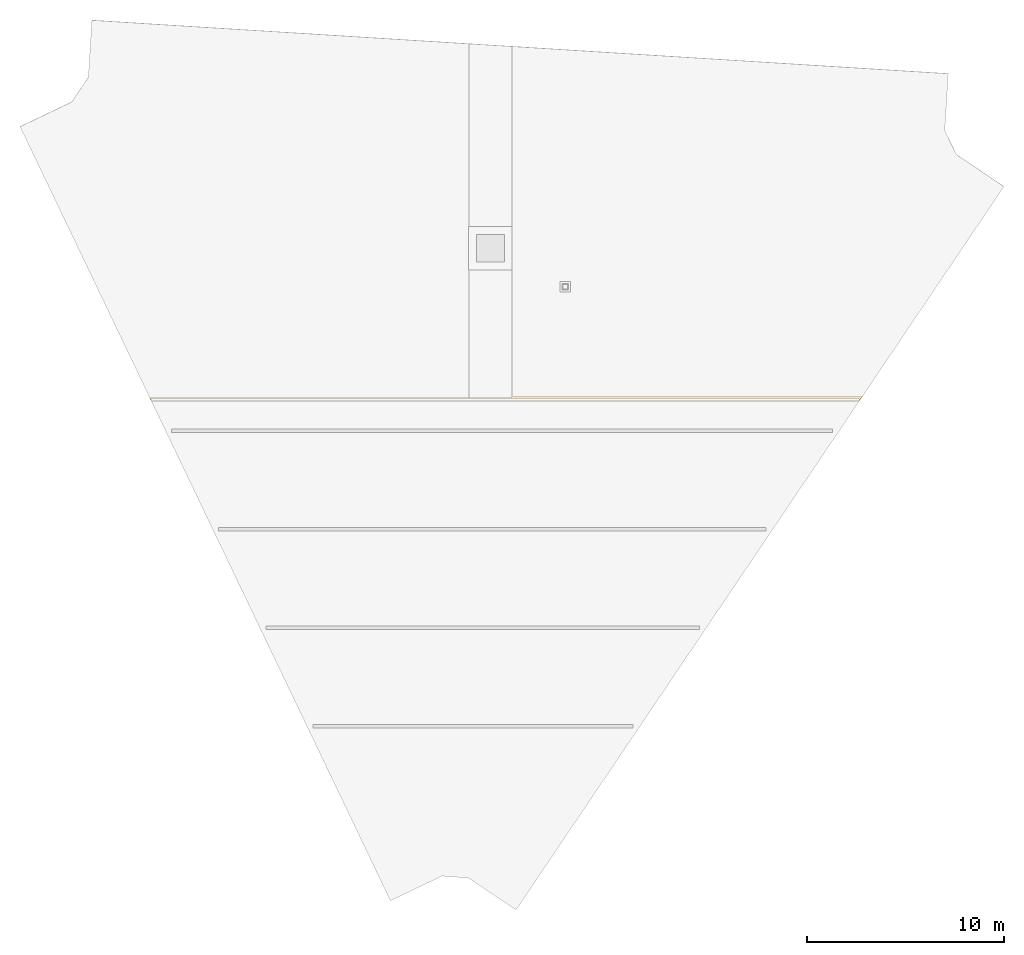
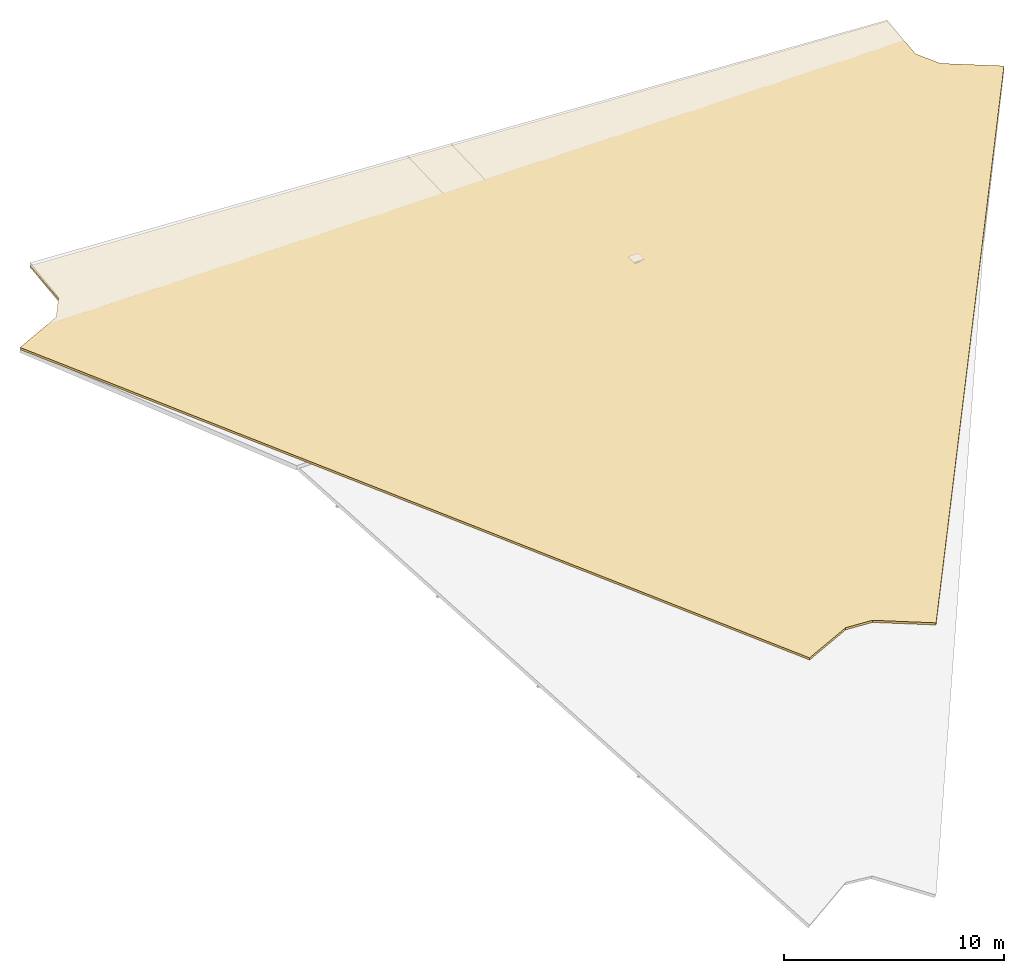
# One storey, part 3 of 3: 1 covering.
"""IFC4 building model written with IfcOpenShell, lengths in metres."""

from ifc_helpers import new_model, si_unit, direction, frame, origin, place, context, subcontext, project, spatial, polyline, outline, extrude, material, layer, layer_set, type_object, element, save


model = new_model("IFC4")

# Units and contexts
model_context = context("Model", 3, precision=1e-05, world=origin(), true_north=direction((0.0, 1.0)))
body_context = subcontext(model_context, "Body", "Model", "MODEL_VIEW")
ifc_project = project(units=[si_unit("LENGTHUNIT", "METRE"), si_unit("AREAUNIT", "SQUARE_METRE"), si_unit("VOLUMEUNIT", "CUBIC_METRE"), si_unit("PLANEANGLEUNIT", "RADIAN"), si_unit("MASSUNIT", "GRAM", prefix="KILO")], contexts=[model_context])

# Site, building, storey
site_placement = place(None, origin())
site = spatial("IfcSite", under=ifc_project, at=site_placement, CompositionType="ELEMENT")
building_placement = place(site_placement, origin())
building = spatial("IfcBuilding", under=site, at=building_placement, Name="Apsidion Concourse Tower", CompositionType="ELEMENT")
storey_placement = place(building_placement, frame((0.0, 0.0, 350.0)))
storey = spatial("IfcBuildingStorey", under=building, at=storey_placement, Name="Roof Level", CompositionType="ELEMENT", Elevation=350.0)

# Covering
ifc_material = material(Name="Single-ply EPDM roofing membrane")
ifc_layer = layer(ifc_material, 0.1201171875)
ifc_layer_set = layer_set([ifc_layer], Name="Single-ply EPDM roofing membrane")
covering_type = type_object("IfcCoveringType", Name="COV-ROOF-120", PredefinedType="ROOFING", material=ifc_layer_set)
covering_placement = place(storey_placement, frame((0.0, 0.0, -0.300048828125)))
element("IfcCovering", 1, at=covering_placement, inside=storey, type_object=covering_type, Name="Slanted Crown EPDM Roofing Membrane", PredefinedType="ROOFING", context=body_context, shape_type="SweptSolid", body=[
    extrude(outline(polyline([(-20.24365234375, 17.58837890625), (-20.424560546875, 14.688232421875), (-21.27001953125, 13.43505859375), (-23.89111328125, 12.180908203125), (-5.082275390625, -27.131103515625), (-2.461181640625, -25.877197265625), (-1.11181640625, -25.9765625), (1.297119140625, -27.6015625), (26.07763671875, 9.136962890625), (23.668701171875, 10.76171875), (23.07080078125, 11.9755859375), (23.251708984375, 14.875732421875), (-20.24365234375, 17.58837890625)])), origin(), (0.0, 0.0, 1.0), 0.1201171875),
])

save(model, "model.ifc")
